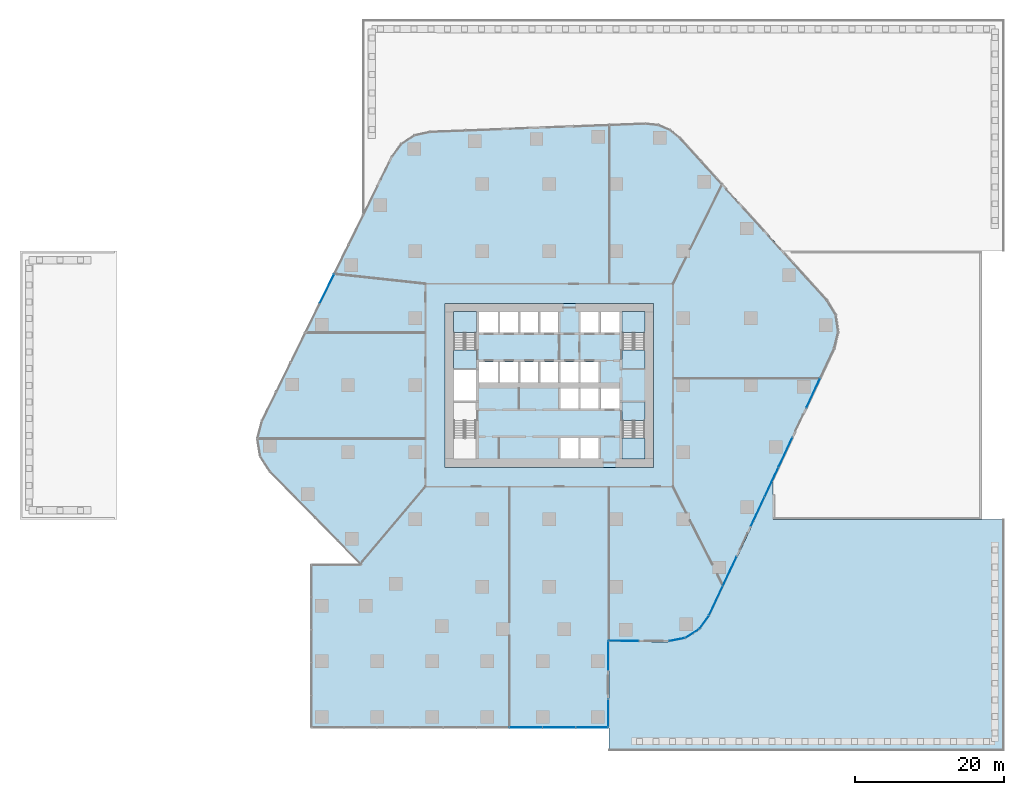
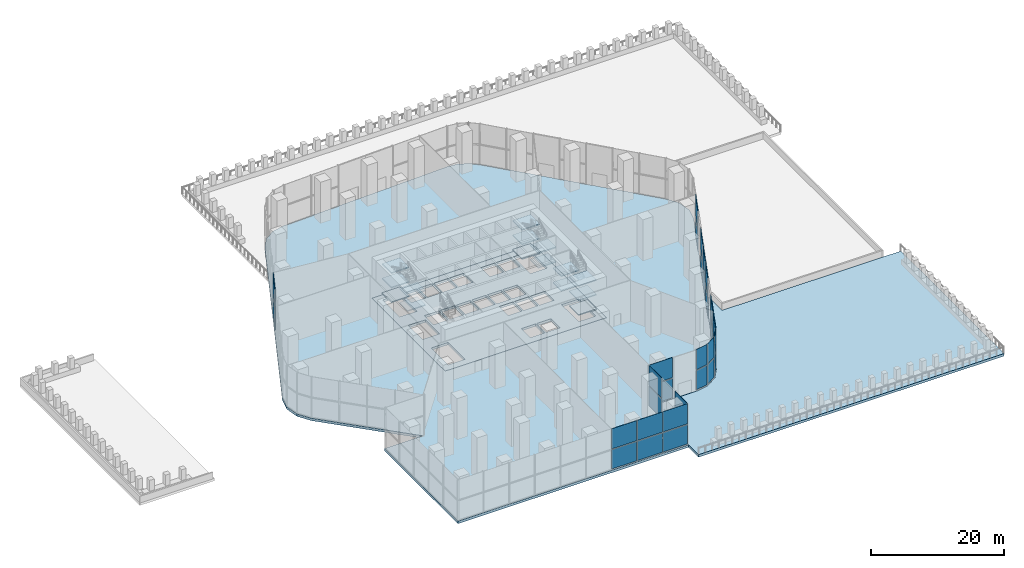
# One storey, part 11 of 22: 32 plates, 18 slabs, 12 elements without a shape of their own.
"""IFC4 building model written with IfcOpenShell, lengths in metres."""

from ifc_helpers import new_model, si_unit, direction, frame, origin, origin_2d, place, context, subcontext, project, spatial, polyline, rectangle, outline, extrude, material, layer, layer_set, type_object, element, aggregate, save


model = new_model("IFC4")

# Units and contexts
model_context = context("Model", 3, precision=1e-05, world=origin(), true_north=direction((0.0, 1.0)))
body_context = subcontext(model_context, "Body", "Model", "MODEL_VIEW")
ifc_project = project(units=[si_unit("LENGTHUNIT", "METRE"), si_unit("AREAUNIT", "SQUARE_METRE"), si_unit("VOLUMEUNIT", "CUBIC_METRE"), si_unit("PLANEANGLEUNIT", "RADIAN"), si_unit("MASSUNIT", "GRAM", prefix="KILO")], contexts=[model_context])

# Site, building, storey
site_placement = place(None, origin())
site = spatial("IfcSite", under=ifc_project, at=site_placement, CompositionType="ELEMENT")
building_placement = place(site_placement, origin())
building = spatial("IfcBuilding", under=site, at=building_placement, Name="Dongbaek Canopy Tower", CompositionType="ELEMENT")
storey_placement = place(building_placement, frame((0.0, 0.0, 19.0)))
storey = spatial("IfcBuildingStorey", under=building, at=storey_placement, Name="L02", CompositionType="ELEMENT", Elevation=19.0)

# Curtain wall, plates
ifc_material_1 = material(Name="Aluminium 6063-T6 pale anodised", Category="aluminium")
ifc_layer_1 = layer(ifc_material_1, 0.300048828125)
ifc_layer_set_1 = layer_set([ifc_layer_1], Name="CW-2 podium hall curtain wall")
curtain_wall_type = type_object("IfcCurtainWallType", Name="CW-2 podium hall curtain wall", PredefinedType="NOTDEFINED", material=ifc_layer_set_1)
curtain_wall_1_placement = place(storey_placement, origin())
curtain_wall_1 = element("IfcCurtainWall", 1, at=curtain_wall_1_placement, inside=storey, type_object=curtain_wall_type, Name="CW-2 curtain wall K0.1", PredefinedType="NOTDEFINED")
ifc_material_2 = material(Name="Clear laminated glass", Category="glass")
ifc_layer_2 = layer(ifc_material_2, 0.035888671875)
ifc_layer_set_2 = layer_set([ifc_layer_2], Name="CW-2 glazed panel 36")
plate_type = type_object("IfcPlateType", Name="CW-2 glazed panel 36", PredefinedType="CURTAIN_PANEL", material=ifc_layer_set_2)
plate_1_placement = place(storey_placement, frame((17.1337890625, -34.110595703125, 0.16015625), z_axis=(0.0, 0.0, 1.0), x_axis=(0.98292174659, 0.184024020391, 0.0)))
plate_1 = element("IfcPlate", 2, at=plate_1_placement, type_object=plate_type, Name="CW-2 panel K0.1.1.1", PredefinedType="CURTAIN_PANEL", context=body_context, shape_type="SweptSolid", body=[
    extrude(rectangle(XDim=2.128173828125, YDim=0.035888671875, at=origin_2d()), origin(), (0.0, 0.0, 1.0), 3.534912109375),
])
plate_2_placement = place(storey_placement, frame((17.1337890625, -34.110595703125, 3.85498046875), z_axis=(0.0, 0.0, 1.0), x_axis=(0.98292174659, 0.184024020391, 0.0)))
plate_2 = element("IfcPlate", 3, at=plate_2_placement, type_object=plate_type, Name="CW-2 panel K0.1.1.2", PredefinedType="CURTAIN_PANEL", context=body_context, shape_type="SweptSolid", body=[
    extrude(rectangle(XDim=2.128173828125, YDim=0.035888671875, at=origin_2d()), origin(), (0.0, 0.0, 1.0), 3.695068359375),
])
plate_3_placement = place(storey_placement, frame((19.169921875, -33.31103515625, 0.16015625), z_axis=(0.0, 0.0, 1.0), x_axis=(0.845033442045, 0.534713457681, 0.0)))
plate_3 = element("IfcPlate", 4, at=plate_3_placement, type_object=plate_type, Name="CW-2 panel K0.1.2.1", PredefinedType="CURTAIN_PANEL", context=body_context, shape_type="SweptSolid", body=[
    extrude(rectangle(XDim=2.11865234375, YDim=0.035888671875, at=origin_2d()), origin(), (0.0, 0.0, 1.0), 3.534912109375),
])
plate_4_placement = place(storey_placement, frame((19.169921875, -33.31103515625, 3.85498046875), z_axis=(0.0, 0.0, 1.0), x_axis=(0.845033442045, 0.534713457681, 0.0)))
plate_4 = element("IfcPlate", 5, at=plate_4_placement, type_object=plate_type, Name="CW-2 panel K0.1.2.2", PredefinedType="CURTAIN_PANEL", context=body_context, shape_type="SweptSolid", body=[
    extrude(rectangle(XDim=2.11865234375, YDim=0.035888671875, at=origin_2d()), origin(), (0.0, 0.0, 1.0), 3.695068359375),
])
plate_5_placement = place(storey_placement, frame((20.764404296875, -31.813232421875, 0.16015625), z_axis=(0.0, 0.0, 1.0), x_axis=(0.587153663418, 0.809475494092, 0.0)))
plate_5 = element("IfcPlate", 6, at=plate_5_placement, type_object=plate_type, Name="CW-2 panel K0.1.3.1", PredefinedType="CURTAIN_PANEL", context=body_context, shape_type="SweptSolid", body=[
    extrude(rectangle(XDim=2.128173828125, YDim=0.035888671875, at=origin_2d()), origin(), (0.0, 0.0, 1.0), 3.534912109375),
])
plate_6_placement = place(storey_placement, frame((20.764404296875, -31.813232421875, 3.85498046875), z_axis=(0.0, 0.0, 1.0), x_axis=(0.587153663418, 0.809475494092, 0.0)))
plate_6 = element("IfcPlate", 7, at=plate_6_placement, type_object=plate_type, Name="CW-2 panel K0.1.3.2", PredefinedType="CURTAIN_PANEL", context=body_context, shape_type="SweptSolid", body=[
    extrude(rectangle(XDim=2.128173828125, YDim=0.035888671875, at=origin_2d()), origin(), (0.0, 0.0, 1.0), 3.695068359375),
])
aggregate(curtain_wall_1, [plate_1, plate_2, plate_3, plate_4, plate_5, plate_6])

curtain_wall_2_placement = place(storey_placement, origin())
curtain_wall_2 = element("IfcCurtainWall", 8, at=curtain_wall_2_placement, inside=storey, type_object=curtain_wall_type, Name="CW-2 curtain wall F0.1", PredefinedType="NOTDEFINED")
plate_7_placement = place(storey_placement, frame((22.350341796875, -28.922607421875, 0.16015625), z_axis=(0.0, 0.0, 1.0), x_axis=(0.424122871275, 0.905604654395, 0.0)))
plate_7 = element("IfcPlate", 9, at=plate_7_placement, type_object=plate_type, Name="CW-2 panel F0.1.1.1", PredefinedType="CURTAIN_PANEL", context=body_context, shape_type="SweptSolid", body=[
    extrude(rectangle(XDim=4.28466796875, YDim=0.035888671875, at=origin_2d()), origin(), (0.0, 0.0, 1.0), 3.534912109375),
])
plate_8_placement = place(storey_placement, frame((22.350341796875, -28.922607421875, 3.85498046875), z_axis=(0.0, 0.0, 1.0), x_axis=(0.424122871275, 0.905604654395, 0.0)))
plate_8 = element("IfcPlate", 10, at=plate_8_placement, type_object=plate_type, Name="CW-2 panel F0.1.1.2", PredefinedType="CURTAIN_PANEL", context=body_context, shape_type="SweptSolid", body=[
    extrude(rectangle(XDim=4.28466796875, YDim=0.035888671875, at=origin_2d()), origin(), (0.0, 0.0, 1.0), 3.695068359375),
])
plate_9_placement = place(storey_placement, frame((24.213623046875, -24.944091796875, 0.16015625), z_axis=(0.0, 0.0, 1.0), x_axis=(0.424122871275, 0.905604654395, 0.0)))
plate_9 = element("IfcPlate", 11, at=plate_9_placement, type_object=plate_type, Name="CW-2 panel F0.1.2.1", PredefinedType="CURTAIN_PANEL", context=body_context, shape_type="SweptSolid", body=[
    extrude(rectangle(XDim=4.2939453125, YDim=0.035888671875, at=origin_2d()), origin(), (0.0, 0.0, 1.0), 3.534912109375),
])
plate_10_placement = place(storey_placement, frame((24.213623046875, -24.944091796875, 3.85498046875), z_axis=(0.0, 0.0, 1.0), x_axis=(0.424122871275, 0.905604654395, 0.0)))
plate_10 = element("IfcPlate", 12, at=plate_10_placement, type_object=plate_type, Name="CW-2 panel F0.1.2.2", PredefinedType="CURTAIN_PANEL", context=body_context, shape_type="SweptSolid", body=[
    extrude(rectangle(XDim=4.2939453125, YDim=0.035888671875, at=origin_2d()), origin(), (0.0, 0.0, 1.0), 3.695068359375),
])
aggregate(curtain_wall_2, [plate_7, plate_8, plate_9, plate_10])

curtain_wall_3_placement = place(storey_placement, origin())
curtain_wall_3 = element("IfcCurtainWall", 13, at=curtain_wall_3_placement, inside=storey, type_object=curtain_wall_type, Name="CW-2 curtain wall F0.2", PredefinedType="NOTDEFINED")
plate_11_placement = place(storey_placement, frame((27.9443359375, -16.978271484375, 0.16015625), z_axis=(0.0, 0.0, 1.0), x_axis=(0.424122871275, 0.905604654395, 0.0)))
plate_11 = element("IfcPlate", 14, at=plate_11_placement, type_object=plate_type, Name="CW-2 panel F0.2.1.1", PredefinedType="CURTAIN_PANEL", context=body_context, shape_type="SweptSolid", body=[
    extrude(rectangle(XDim=4.2939453125, YDim=0.035888671875, at=origin_2d()), origin(), (0.0, 0.0, 1.0), 3.534912109375),
])
plate_12_placement = place(storey_placement, frame((27.9443359375, -16.978271484375, 3.85498046875), z_axis=(0.0, 0.0, 1.0), x_axis=(0.424122871275, 0.905604654395, 0.0)))
plate_12 = element("IfcPlate", 15, at=plate_12_placement, type_object=plate_type, Name="CW-2 panel F0.2.1.2", PredefinedType="CURTAIN_PANEL", context=body_context, shape_type="SweptSolid", body=[
    extrude(rectangle(XDim=4.2939453125, YDim=0.035888671875, at=origin_2d()), origin(), (0.0, 0.0, 1.0), 3.695068359375),
])
plate_13_placement = place(storey_placement, frame((29.8095703125, -12.995361328125, 0.16015625), z_axis=(0.0, 0.0, 1.0), x_axis=(0.424122871275, 0.905604654395, 0.0)))
plate_13 = element("IfcPlate", 16, at=plate_13_placement, type_object=plate_type, Name="CW-2 panel F0.2.2.1", PredefinedType="CURTAIN_PANEL", context=body_context, shape_type="SweptSolid", body=[
    extrude(rectangle(XDim=4.2939453125, YDim=0.035888671875, at=origin_2d()), origin(), (0.0, 0.0, 1.0), 3.534912109375),
])
plate_14_placement = place(storey_placement, frame((29.8095703125, -12.995361328125, 3.85498046875), z_axis=(0.0, 0.0, 1.0), x_axis=(0.424122871275, 0.905604654395, 0.0)))
plate_14 = element("IfcPlate", 17, at=plate_14_placement, type_object=plate_type, Name="CW-2 panel F0.2.2.2", PredefinedType="CURTAIN_PANEL", context=body_context, shape_type="SweptSolid", body=[
    extrude(rectangle(XDim=4.2939453125, YDim=0.035888671875, at=origin_2d()), origin(), (0.0, 0.0, 1.0), 3.695068359375),
])
plate_15_placement = place(storey_placement, frame((31.6748046875, -9.012451171875, 0.16015625), z_axis=(0.0, 0.0, 1.0), x_axis=(0.424122871275, 0.905604654395, 0.0)))
plate_15 = element("IfcPlate", 18, at=plate_15_placement, type_object=plate_type, Name="CW-2 panel F0.2.3.1", PredefinedType="CURTAIN_PANEL", context=body_context, shape_type="SweptSolid", body=[
    extrude(rectangle(XDim=4.2939453125, YDim=0.035888671875, at=origin_2d()), origin(), (0.0, 0.0, 1.0), 3.534912109375),
])
plate_16_placement = place(storey_placement, frame((31.6748046875, -9.012451171875, 3.85498046875), z_axis=(0.0, 0.0, 1.0), x_axis=(0.424122871275, 0.905604654395, 0.0)))
plate_16 = element("IfcPlate", 19, at=plate_16_placement, type_object=plate_type, Name="CW-2 panel F0.2.3.2", PredefinedType="CURTAIN_PANEL", context=body_context, shape_type="SweptSolid", body=[
    extrude(rectangle(XDim=4.2939453125, YDim=0.035888671875, at=origin_2d()), origin(), (0.0, 0.0, 1.0), 3.695068359375),
])
aggregate(curtain_wall_3, [plate_11, plate_12, plate_13, plate_14, plate_15, plate_16])

curtain_wall_4_placement = place(storey_placement, origin())
curtain_wall_4 = element("IfcCurtainWall", 20, at=curtain_wall_4_placement, inside=storey, type_object=curtain_wall_type, Name="CW-2 curtain wall F0.3", PredefinedType="NOTDEFINED")
plate_17_placement = place(storey_placement, frame((35.405517578125, -1.046630859375, 0.16015625), z_axis=(0.0, 0.0, 1.0), x_axis=(0.424122871275, 0.905604654395, 0.0)))
plate_17 = element("IfcPlate", 21, at=plate_17_placement, type_object=plate_type, Name="CW-2 panel F0.3.1.1", PredefinedType="CURTAIN_PANEL", context=body_context, shape_type="SweptSolid", body=[
    extrude(rectangle(XDim=4.2939453125, YDim=0.035888671875, at=origin_2d()), origin(), (0.0, 0.0, 1.0), 3.534912109375),
])
plate_18_placement = place(storey_placement, frame((35.405517578125, -1.046630859375, 3.85498046875), z_axis=(0.0, 0.0, 1.0), x_axis=(0.424122871275, 0.905604654395, 0.0)))
plate_18 = element("IfcPlate", 22, at=plate_18_placement, type_object=plate_type, Name="CW-2 panel F0.3.1.2", PredefinedType="CURTAIN_PANEL", context=body_context, shape_type="SweptSolid", body=[
    extrude(rectangle(XDim=4.2939453125, YDim=0.035888671875, at=origin_2d()), origin(), (0.0, 0.0, 1.0), 3.695068359375),
])
aggregate(curtain_wall_4, [plate_17, plate_18])

curtain_wall_5_placement = place(storey_placement, origin())
curtain_wall_5 = element("IfcCurtainWall", 23, at=curtain_wall_5_placement, inside=storey, type_object=curtain_wall_type, Name="CW-2 curtain wall F3.1", PredefinedType="NOTDEFINED")
plate_19_placement = place(storey_placement, frame((-29.826904296875, 12.92822265625, 0.16015625), z_axis=(0.0, 0.0, 1.0), x_axis=(-0.441341613378, -0.897339166815, 0.0)))
plate_19 = element("IfcPlate", 24, at=plate_19_placement, type_object=plate_type, Name="CW-2 panel F3.1.4.1", PredefinedType="CURTAIN_PANEL", context=body_context, shape_type="SweptSolid", body=[
    extrude(rectangle(XDim=4.29541015625, YDim=0.035888671875, at=origin_2d()), origin(), (0.0, 0.0, 1.0), 3.534912109375),
])
plate_20_placement = place(storey_placement, frame((-29.826904296875, 12.92822265625, 3.85498046875), z_axis=(0.0, 0.0, 1.0), x_axis=(-0.441341613378, -0.897339166815, 0.0)))
plate_20 = element("IfcPlate", 25, at=plate_20_placement, type_object=plate_type, Name="CW-2 panel F3.1.4.2", PredefinedType="CURTAIN_PANEL", context=body_context, shape_type="SweptSolid", body=[
    extrude(rectangle(XDim=4.29541015625, YDim=0.035888671875, at=origin_2d()), origin(), (0.0, 0.0, 1.0), 3.695068359375),
])
aggregate(curtain_wall_5, [plate_19, plate_20])

curtain_wall_6_placement = place(storey_placement, origin())
curtain_wall_6 = element("IfcCurtainWall", 26, at=curtain_wall_6_placement, inside=storey, type_object=curtain_wall_type, Name="CW-2 curtain wall F7.1", PredefinedType="NOTDEFINED")
plate_21_placement = place(storey_placement, frame((-3.111083984375, -45.89990234375, 0.16015625), z_axis=(0.0, 0.0, 1.0), x_axis=(1.0, 0.0, 0.0)))
plate_21 = element("IfcPlate", 27, at=plate_21_placement, type_object=plate_type, Name="CW-2 panel F7.1.7.1", PredefinedType="CURTAIN_PANEL", context=body_context, shape_type="SweptSolid", body=[
    extrude(rectangle(XDim=4.34033203125, YDim=0.035888671875, at=origin_2d()), origin(), (0.0, 0.0, 1.0), 3.534912109375),
])
plate_22_placement = place(storey_placement, frame((-3.111083984375, -45.89990234375, 3.85498046875), z_axis=(0.0, 0.0, 1.0), x_axis=(1.0, 0.0, 0.0)))
plate_22 = element("IfcPlate", 28, at=plate_22_placement, type_object=plate_type, Name="CW-2 panel F7.1.7.2", PredefinedType="CURTAIN_PANEL", context=body_context, shape_type="SweptSolid", body=[
    extrude(rectangle(XDim=4.34033203125, YDim=0.035888671875, at=origin_2d()), origin(), (0.0, 0.0, 1.0), 3.695068359375),
])
plate_23_placement = place(storey_placement, frame((1.333251953125, -45.89990234375, 0.16015625), z_axis=(0.0, 0.0, 1.0), x_axis=(1.0, 0.0, 0.0)))
plate_23 = element("IfcPlate", 29, at=plate_23_placement, type_object=plate_type, Name="CW-2 panel F7.1.8.1", PredefinedType="CURTAIN_PANEL", context=body_context, shape_type="SweptSolid", body=[
    extrude(rectangle(XDim=4.34033203125, YDim=0.035888671875, at=origin_2d()), origin(), (0.0, 0.0, 1.0), 3.534912109375),
])
plate_24_placement = place(storey_placement, frame((1.333251953125, -45.89990234375, 3.85498046875), z_axis=(0.0, 0.0, 1.0), x_axis=(1.0, 0.0, 0.0)))
plate_24 = element("IfcPlate", 30, at=plate_24_placement, type_object=plate_type, Name="CW-2 panel F7.1.8.2", PredefinedType="CURTAIN_PANEL", context=body_context, shape_type="SweptSolid", body=[
    extrude(rectangle(XDim=4.34033203125, YDim=0.035888671875, at=origin_2d()), origin(), (0.0, 0.0, 1.0), 3.695068359375),
])
plate_25_placement = place(storey_placement, frame((5.727783203125, -45.89990234375, 0.16015625), z_axis=(0.0, 0.0, 1.0), x_axis=(1.0, 0.0, 0.0)))
plate_25 = element("IfcPlate", 31, at=plate_25_placement, type_object=plate_type, Name="CW-2 panel F7.1.9.1", PredefinedType="CURTAIN_PANEL", context=body_context, shape_type="SweptSolid", body=[
    extrude(rectangle(XDim=4.240478515625, YDim=0.035888671875, at=origin_2d()), origin(), (0.0, 0.0, 1.0), 3.534912109375),
])
plate_26_placement = place(storey_placement, frame((5.727783203125, -45.89990234375, 3.85498046875), z_axis=(0.0, 0.0, 1.0), x_axis=(1.0, 0.0, 0.0)))
plate_26 = element("IfcPlate", 32, at=plate_26_placement, type_object=plate_type, Name="CW-2 panel F7.1.9.2", PredefinedType="CURTAIN_PANEL", context=body_context, shape_type="SweptSolid", body=[
    extrude(rectangle(XDim=4.240478515625, YDim=0.035888671875, at=origin_2d()), origin(), (0.0, 0.0, 1.0), 3.695068359375),
])
aggregate(curtain_wall_6, [plate_21, plate_22, plate_23, plate_24, plate_25, plate_26])

curtain_wall_7_placement = place(storey_placement, origin())
curtain_wall_7 = element("IfcCurtainWall", 33, at=curtain_wall_7_placement, inside=storey, type_object=curtain_wall_type, Name="CW-2 curtain wall F8.1", PredefinedType="NOTDEFINED")
plate_27_placement = place(storey_placement, frame((7.89990234375, -44.013427734375, 0.16015625), z_axis=(0.0, 0.0, 1.0), x_axis=(0.0, 1.0, 0.0)))
plate_27 = element("IfcPlate", 34, at=plate_27_placement, type_object=plate_type, Name="CW-2 panel F8.1.1.1", PredefinedType="CURTAIN_PANEL", context=body_context, shape_type="SweptSolid", body=[
    extrude(rectangle(XDim=3.669189453125, YDim=0.035888671875, at=origin_2d()), origin(), (0.0, 0.0, 1.0), 3.534912109375),
])
plate_28_placement = place(storey_placement, frame((7.89990234375, -44.013427734375, 3.85498046875), z_axis=(0.0, 0.0, 1.0), x_axis=(0.0, 1.0, 0.0)))
plate_28 = element("IfcPlate", 35, at=plate_28_placement, type_object=plate_type, Name="CW-2 panel F8.1.1.2", PredefinedType="CURTAIN_PANEL", context=body_context, shape_type="SweptSolid", body=[
    extrude(rectangle(XDim=3.669189453125, YDim=0.035888671875, at=origin_2d()), origin(), (0.0, 0.0, 1.0), 3.695068359375),
])
aggregate(curtain_wall_7, [plate_27, plate_28])

curtain_wall_8_placement = place(storey_placement, origin())
curtain_wall_8 = element("IfcCurtainWall", 36, at=curtain_wall_8_placement, inside=storey, type_object=curtain_wall_type, Name="CW-2 curtain wall F8.2", PredefinedType="NOTDEFINED")
plate_29_placement = place(storey_placement, frame((7.89990234375, -36.2666015625, 0.16015625), z_axis=(0.0, 0.0, 1.0), x_axis=(0.0, 1.0, 0.0)))
plate_29 = element("IfcPlate", 37, at=plate_29_placement, type_object=plate_type, Name="CW-2 panel F8.2.1.1", PredefinedType="CURTAIN_PANEL", context=body_context, shape_type="SweptSolid", body=[
    extrude(rectangle(XDim=3.86962890625, YDim=0.035888671875, at=origin_2d()), origin(), (0.0, 0.0, 1.0), 3.534912109375),
])
plate_30_placement = place(storey_placement, frame((7.89990234375, -36.2666015625, 3.85498046875), z_axis=(0.0, 0.0, 1.0), x_axis=(0.0, 1.0, 0.0)))
plate_30 = element("IfcPlate", 38, at=plate_30_placement, type_object=plate_type, Name="CW-2 panel F8.2.1.2", PredefinedType="CURTAIN_PANEL", context=body_context, shape_type="SweptSolid", body=[
    extrude(rectangle(XDim=3.86962890625, YDim=0.035888671875, at=origin_2d()), origin(), (0.0, 0.0, 1.0), 3.695068359375),
])
aggregate(curtain_wall_8, [plate_29, plate_30])

curtain_wall_9_placement = place(storey_placement, origin())
curtain_wall_9 = element("IfcCurtainWall", 39, at=curtain_wall_9_placement, inside=storey, type_object=curtain_wall_type, Name="CW-2 curtain wall F9.1", PredefinedType="NOTDEFINED")
plate_31_placement = place(storey_placement, frame((9.961669921875, -34.288818359375, 0.16015625), z_axis=(0.0, 0.0, 1.0), x_axis=(0.999990026698, -0.004466151006, 0.0)))
plate_31 = element("IfcPlate", 40, at=plate_31_placement, type_object=plate_type, Name="CW-2 panel F9.1.1.1", PredefinedType="CURTAIN_PANEL", context=body_context, shape_type="SweptSolid", body=[
    extrude(rectangle(XDim=4.019287109375, YDim=0.035888671875, at=origin_2d()), origin(), (0.0, 0.0, 1.0), 3.534912109375),
])
plate_32_placement = place(storey_placement, frame((9.961669921875, -34.288818359375, 3.85498046875), z_axis=(0.0, 0.0, 1.0), x_axis=(0.999990026698, -0.004466151006, 0.0)))
plate_32 = element("IfcPlate", 41, at=plate_32_placement, type_object=plate_type, Name="CW-2 panel F9.1.1.2", PredefinedType="CURTAIN_PANEL", context=body_context, shape_type="SweptSolid", body=[
    extrude(rectangle(XDim=4.019287109375, YDim=0.035888671875, at=origin_2d()), origin(), (0.0, 0.0, 1.0), 3.695068359375),
])
aggregate(curtain_wall_9, [plate_31, plate_32])

# Slab
ifc_material_3 = material(Name="Concrete C40/50", Category="concrete")
ifc_layer_3 = layer(ifc_material_3, 0.449951171875)
ifc_layer_set_3 = layer_set([ifc_layer_3], Name="Core floor slab 450 Concrete C40/50")
slab_type_1 = type_object("IfcSlabType", Name="Core floor slab 450 Concrete C40/50", PredefinedType="FLOOR", material=ifc_layer_set_3)
slab_1_placement = place(storey_placement, frame((0.0, 0.0, -0.449951171875)))
element("IfcSlab", 42, at=slab_1_placement, inside=storey, type_object=slab_type_1, Name="Core floor slab L02", PredefinedType="FLOOR", context=body_context, shape_type="SweptSolid", body=[
    extrude(outline(polyline([(14.0, -11.0), (14.0, 11.0), (-14.0, 11.0), (-14.0, -11.0), (14.0, -11.0)]), holes=[polyline([(-12.800048828125, 2.10009765625), (-9.85009765625, 2.10009765625), (-9.85009765625, -2.10009765625), (-12.800048828125, -2.10009765625), (-12.800048828125, 2.10009765625)]), polyline([(-6.875, 9.800048828125), (-6.875, 7.074951171875), (-9.449951171875, 7.074951171875), (-9.449951171875, 9.800048828125), (-6.875, 9.800048828125)]), polyline([(-4.175048828125, 9.800048828125), (-4.175048828125, 7.074951171875), (-6.625, 7.074951171875), (-6.625, 9.800048828125), (-4.175048828125, 9.800048828125)]), polyline([(-1.47509765625, 9.800048828125), (-1.47509765625, 7.074951171875), (-3.925048828125, 7.074951171875), (-3.925048828125, 9.800048828125), (-1.47509765625, 9.800048828125)]), polyline([(1.22509765625, 9.800048828125), (1.22509765625, 7.074951171875), (-1.22509765625, 7.074951171875), (-1.22509765625, 9.800048828125), (1.22509765625, 9.800048828125)]), polyline([(6.625, 9.800048828125), (6.625, 7.074951171875), (4.175048828125, 7.074951171875), (4.175048828125, 9.800048828125), (6.625, 9.800048828125)]), polyline([(9.449951171875, 7.074951171875), (6.875, 7.074951171875), (6.875, 9.800048828125), (9.449951171875, 9.800048828125), (9.449951171875, 7.074951171875)]), polyline([(-9.449951171875, 3.125), (-6.875, 3.125), (-6.875, 0.39990234375), (-9.449951171875, 0.39990234375), (-9.449951171875, 3.125)]), polyline([(-6.625, 3.125), (-4.175048828125, 3.125), (-4.175048828125, 0.39990234375), (-6.625, 0.39990234375), (-6.625, 3.125)]), polyline([(-3.925048828125, 3.125), (-1.47509765625, 3.125), (-1.47509765625, 0.39990234375), (-3.925048828125, 0.39990234375), (-3.925048828125, 3.125)]), polyline([(-1.22509765625, 3.125), (1.22509765625, 3.125), (1.22509765625, 0.39990234375), (-1.22509765625, 0.39990234375), (-1.22509765625, 3.125)]), polyline([(1.47509765625, 0.39990234375), (1.47509765625, 3.125), (3.925048828125, 3.125), (3.925048828125, 0.39990234375), (1.47509765625, 0.39990234375)]), polyline([(4.175048828125, 0.39990234375), (4.175048828125, 3.125), (6.625, 3.125), (6.625, 0.39990234375), (4.175048828125, 0.39990234375)]), polyline([(3.925048828125, -0.39990234375), (3.925048828125, -3.125), (1.47509765625, -3.125), (1.47509765625, -0.39990234375), (3.925048828125, -0.39990234375)]), polyline([(6.625, -0.39990234375), (6.625, -3.125), (4.175048828125, -3.125), (4.175048828125, -0.39990234375), (6.625, -0.39990234375)]), polyline([(9.449951171875, -3.125), (6.875, -3.125), (6.875, -0.39990234375), (9.449951171875, -0.39990234375), (9.449951171875, -3.125)]), polyline([(1.47509765625, -9.800048828125), (1.47509765625, -7.074951171875), (3.925048828125, -7.074951171875), (3.925048828125, -9.800048828125), (1.47509765625, -9.800048828125)]), polyline([(4.175048828125, -9.800048828125), (4.175048828125, -7.074951171875), (6.625, -7.074951171875), (6.625, -9.800048828125), (4.175048828125, -9.800048828125)]), polyline([(12.800048828125, 4.70068359375), (12.800048828125, 9.800048828125), (9.85009765625, 9.800048828125), (9.85009765625, 4.70068359375), (12.800048828125, 4.70068359375)]), polyline([(-9.85009765625, 4.70068359375), (-9.85009765625, 9.800048828125), (-12.800048828125, 9.800048828125), (-12.800048828125, 4.70068359375), (-9.85009765625, 4.70068359375)]), polyline([(9.85009765625, -4.70068359375), (9.85009765625, -9.800048828125), (12.800048828125, -9.800048828125), (12.800048828125, -4.70068359375), (9.85009765625, -4.70068359375)]), polyline([(-12.800048828125, -4.70068359375), (-12.800048828125, -9.800048828125), (-9.85009765625, -9.800048828125), (-9.85009765625, -4.70068359375), (-12.800048828125, -4.70068359375)])]), origin(), (0.0, 0.0, 1.0), 0.449951171875),
])

# Stair, slabs
ifc_material_4 = material(Name="Concrete C40/50", Category="concrete")
stair_type = type_object("IfcStairType", Name="Core exit stair", PredefinedType="HALF_TURN_STAIR", material=ifc_material_4)
stair_1_placement = place(storey_placement, origin())
stair_1 = element("IfcStair", 43, at=stair_1_placement, inside=storey, type_object=stair_type, Name="L02 exit stair A", PredefinedType="HALF_TURN_STAIR")
ifc_material_5 = material(Name="Concrete C40/50", Category="concrete")
ifc_layer_4 = layer(ifc_material_5, 0.199951171875)
ifc_layer_set_4 = layer_set([ifc_layer_4], Name="Core stair landing 200")
slab_type_2 = type_object("IfcSlabType", Name="Core stair landing 200", PredefinedType="LANDING", material=ifc_layer_set_4)
slab_2_placement = place(storey_placement, frame((0.0, 0.0, 1.13330078125)))
slab_2 = element("IfcSlab", 44, at=slab_2_placement, type_object=slab_type_2, Name="ST-A landing 1", PredefinedType="LANDING", context=body_context, shape_type="SweptSolid", body=[
    extrude(outline(polyline([(12.875, 7.080078125), (12.875, 9.875), (9.77490234375, 9.875), (9.77490234375, 7.080078125), (12.875, 7.080078125)])), origin(), (0.0, 0.0, 1.0), 0.199951171875),
])
slab_3_placement = place(storey_placement, frame((0.0, 0.0, 2.466552734375)))
slab_3 = element("IfcSlab", 45, at=slab_3_placement, type_object=slab_type_2, Name="ST-A landing 2", PredefinedType="LANDING", context=body_context, shape_type="SweptSolid", body=[
    extrude(outline(polyline([(12.875, 2.22509765625), (12.875, 4.699951171875), (9.77490234375, 4.699951171875), (9.77490234375, 2.22509765625), (12.875, 2.22509765625)])), origin(), (0.0, 0.0, 1.0), 0.2001953125),
])
slab_4_placement = place(storey_placement, frame((0.0, 0.0, 3.800048828125)))
slab_4 = element("IfcSlab", 46, at=slab_4_placement, type_object=slab_type_2, Name="ST-A landing 3", PredefinedType="LANDING", context=body_context, shape_type="SweptSolid", body=[
    extrude(outline(polyline([(12.875, 7.080078125), (12.875, 9.875), (9.77490234375, 9.875), (9.77490234375, 7.080078125), (12.875, 7.080078125)])), origin(), (0.0, 0.0, 1.0), 0.199951171875),
])
slab_5_placement = place(storey_placement, frame((0.0, 0.0, 5.13330078125)))
slab_5 = element("IfcSlab", 47, at=slab_5_placement, type_object=slab_type_2, Name="ST-A landing 4", PredefinedType="LANDING", context=body_context, shape_type="SweptSolid", body=[
    extrude(outline(polyline([(12.875, 2.22509765625), (12.875, 4.699951171875), (9.77490234375, 4.699951171875), (9.77490234375, 2.22509765625), (12.875, 2.22509765625)])), origin(), (0.0, 0.0, 1.0), 0.199951171875),
])
slab_6_placement = place(storey_placement, frame((0.0, 0.0, 6.466552734375)))
slab_6 = element("IfcSlab", 48, at=slab_6_placement, type_object=slab_type_2, Name="ST-A landing 5", PredefinedType="LANDING", context=body_context, shape_type="SweptSolid", body=[
    extrude(outline(polyline([(12.875, 7.080078125), (12.875, 9.875), (9.77490234375, 9.875), (9.77490234375, 7.080078125), (12.875, 7.080078125)])), origin(), (0.0, 0.0, 1.0), 0.2001953125),
])
aggregate(stair_1, [slab_2, slab_3, slab_4, slab_5, slab_6])

stair_2_placement = place(storey_placement, origin())
stair_2 = element("IfcStair", 49, at=stair_2_placement, inside=storey, type_object=stair_type, Name="L02 exit stair C", PredefinedType="HALF_TURN_STAIR")
slab_7_placement = place(storey_placement, frame((0.0, 0.0, 1.13330078125)))
slab_7 = element("IfcSlab", 50, at=slab_7_placement, type_object=slab_type_2, Name="ST-C landing 1", PredefinedType="LANDING", context=body_context, shape_type="SweptSolid", body=[
    extrude(outline(polyline([(-9.77490234375, 7.080078125), (-9.77490234375, 9.875), (-12.875, 9.875), (-12.875, 7.080078125), (-9.77490234375, 7.080078125)])), origin(), (0.0, 0.0, 1.0), 0.199951171875),
])
slab_8_placement = place(storey_placement, frame((0.0, 0.0, 2.466552734375)))
slab_8 = element("IfcSlab", 51, at=slab_8_placement, type_object=slab_type_2, Name="ST-C landing 2", PredefinedType="LANDING", context=body_context, shape_type="SweptSolid", body=[
    extrude(outline(polyline([(-9.77490234375, 2.22509765625), (-9.77490234375, 4.699951171875), (-12.875, 4.699951171875), (-12.875, 2.22509765625), (-9.77490234375, 2.22509765625)])), origin(), (0.0, 0.0, 1.0), 0.2001953125),
])
slab_9_placement = place(storey_placement, frame((0.0, 0.0, 3.800048828125)))
slab_9 = element("IfcSlab", 52, at=slab_9_placement, type_object=slab_type_2, Name="ST-C landing 3", PredefinedType="LANDING", context=body_context, shape_type="SweptSolid", body=[
    extrude(outline(polyline([(-9.77490234375, 7.080078125), (-9.77490234375, 9.875), (-12.875, 9.875), (-12.875, 7.080078125), (-9.77490234375, 7.080078125)])), origin(), (0.0, 0.0, 1.0), 0.199951171875),
])
slab_10_placement = place(storey_placement, frame((0.0, 0.0, 5.13330078125)))
slab_10 = element("IfcSlab", 53, at=slab_10_placement, type_object=slab_type_2, Name="ST-C landing 4", PredefinedType="LANDING", context=body_context, shape_type="SweptSolid", body=[
    extrude(outline(polyline([(-9.77490234375, 2.22509765625), (-9.77490234375, 4.699951171875), (-12.875, 4.699951171875), (-12.875, 2.22509765625), (-9.77490234375, 2.22509765625)])), origin(), (0.0, 0.0, 1.0), 0.199951171875),
])
slab_11_placement = place(storey_placement, frame((0.0, 0.0, 6.466552734375)))
slab_11 = element("IfcSlab", 54, at=slab_11_placement, type_object=slab_type_2, Name="ST-C landing 5", PredefinedType="LANDING", context=body_context, shape_type="SweptSolid", body=[
    extrude(outline(polyline([(-9.77490234375, 7.080078125), (-9.77490234375, 9.875), (-12.875, 9.875), (-12.875, 7.080078125), (-9.77490234375, 7.080078125)])), origin(), (0.0, 0.0, 1.0), 0.2001953125),
])
aggregate(stair_2, [slab_7, slab_8, slab_9, slab_10, slab_11])

stair_3_placement = place(storey_placement, origin())
stair_3 = element("IfcStair", 55, at=stair_3_placement, inside=storey, type_object=stair_type, Name="L02 exit stair B", PredefinedType="HALF_TURN_STAIR")
slab_12_placement = place(storey_placement, frame((0.0, 0.0, 1.13330078125)))
slab_12 = element("IfcSlab", 56, at=slab_12_placement, type_object=slab_type_2, Name="ST-B landing 1", PredefinedType="LANDING", context=body_context, shape_type="SweptSolid", body=[
    extrude(outline(polyline([(9.77490234375, -7.080078125), (9.77490234375, -9.875), (12.875, -9.875), (12.875, -7.080078125), (9.77490234375, -7.080078125)])), origin(), (0.0, 0.0, 1.0), 0.199951171875),
])
slab_13_placement = place(storey_placement, frame((0.0, 0.0, 2.466552734375)))
slab_13 = element("IfcSlab", 57, at=slab_13_placement, type_object=slab_type_2, Name="ST-B landing 2", PredefinedType="LANDING", context=body_context, shape_type="SweptSolid", body=[
    extrude(outline(polyline([(9.77490234375, -2.22509765625), (9.77490234375, -4.699951171875), (12.875, -4.699951171875), (12.875, -2.22509765625), (9.77490234375, -2.22509765625)])), origin(), (0.0, 0.0, 1.0), 0.2001953125),
])
slab_14_placement = place(storey_placement, frame((0.0, 0.0, 3.800048828125)))
slab_14 = element("IfcSlab", 58, at=slab_14_placement, type_object=slab_type_2, Name="ST-B landing 3", PredefinedType="LANDING", context=body_context, shape_type="SweptSolid", body=[
    extrude(outline(polyline([(9.77490234375, -7.080078125), (9.77490234375, -9.875), (12.875, -9.875), (12.875, -7.080078125), (9.77490234375, -7.080078125)])), origin(), (0.0, 0.0, 1.0), 0.199951171875),
])
slab_15_placement = place(storey_placement, frame((0.0, 0.0, 5.13330078125)))
slab_15 = element("IfcSlab", 59, at=slab_15_placement, type_object=slab_type_2, Name="ST-B landing 4", PredefinedType="LANDING", context=body_context, shape_type="SweptSolid", body=[
    extrude(outline(polyline([(9.77490234375, -2.22509765625), (9.77490234375, -4.699951171875), (12.875, -4.699951171875), (12.875, -2.22509765625), (9.77490234375, -2.22509765625)])), origin(), (0.0, 0.0, 1.0), 0.199951171875),
])
slab_16_placement = place(storey_placement, frame((0.0, 0.0, 6.466552734375)))
slab_16 = element("IfcSlab", 60, at=slab_16_placement, type_object=slab_type_2, Name="ST-B landing 5", PredefinedType="LANDING", context=body_context, shape_type="SweptSolid", body=[
    extrude(outline(polyline([(9.77490234375, -7.080078125), (9.77490234375, -9.875), (12.875, -9.875), (12.875, -7.080078125), (9.77490234375, -7.080078125)])), origin(), (0.0, 0.0, 1.0), 0.2001953125),
])
aggregate(stair_3, [slab_12, slab_13, slab_14, slab_15, slab_16])

# Slabs
ifc_material_6 = material(Name="Concrete C40", Category="concrete")
ifc_layer_5 = layer(ifc_material_6, 0.449951171875)
ifc_layer_set_5 = layer_set([ifc_layer_5], Name="RC FLAT PLATE 450 Concrete C40")
slab_type_3 = type_object("IfcSlabType", Name="RC FLAT PLATE 450 Concrete C40", PredefinedType="FLOOR", material=ifc_layer_set_5)
slab_17_placement = place(storey_placement, frame((0.0, 0.0, -0.449951171875)))
element("IfcSlab", 61, at=slab_17_placement, inside=storey, type_object=slab_type_3, Name="SLAB:L02", PredefinedType="FLOOR", context=body_context, shape_type="SweptSolid", body=[
    extrude(outline(polyline([(8.0, -46.0), (-32.0, -46.0), (-32.0, -24.0), (-25.382080078125, -24.0), (-37.544921875, -11.651123046875), (-38.872314453125, -9.589111328125), (-39.263916015625, -7.168212890625), (-38.654052734375, -4.792724609375), (-21.17919921875, 30.7373046875), (-19.90771484375, 32.4580078125), (-18.113525390625, 33.623291015625), (-16.0244140625, 34.0849609375), (12.918701171875, 35.1923828125), (14.64892578125, 35.006103515625), (16.252685546875, 34.3310546875), (17.595458984375, 33.224365234375), (37.307861328125, 11.45751953125), (38.5078125, 9.45703125), (38.85400390625, 7.14990234375), (38.2939453125, 4.88525390625), (21.506103515625, -30.960693359375), (20.1787109375, -32.791015625), (18.26806640625, -34.0), (16.0458984375, -34.416015625), (8.0, -34.380126953125), (8.0, -46.0)]), holes=[polyline([(14.0, 11.0), (-14.0, 11.0), (-14.0, -11.0), (14.0, -11.0), (14.0, 11.0)])]), origin(), (0.0, 0.0, 1.0), 0.449951171875),
])
ifc_material_7 = material(Name="Concrete C40", Category="concrete")
ifc_layer_6 = layer(ifc_material_7, 0.449951171875)
ifc_layer_set_6 = layer_set([ifc_layer_6], Name="RC PODIUM DECK SLAB 450 Concrete C40")
slab_type_4 = type_object("IfcSlabType", Name="RC PODIUM DECK SLAB 450 Concrete C40", PredefinedType="ROOF", material=ifc_layer_set_6)
slab_18_placement = place(storey_placement, frame((0.0, 0.0, -0.449951171875)))
element("IfcSlab", 62, at=slab_18_placement, inside=storey, type_object=slab_type_4, Name="Podium roof deck S", PredefinedType="ROOF", context=body_context, shape_type="SweptSolid", body=[
    extrude(outline(polyline([(18.26806640625, -34.0), (20.1787109375, -32.791015625), (21.506103515625, -30.960693359375), (29.90478515625, -13.028076171875), (29.932373046875, -13.00244140625), (29.978515625, -13.008056640625), (30.0, -13.04931640625), (30.0, -18.0), (60.949951171875, -18.0), (60.99609375, -18.031005859375), (61.0, -48.949951171875), (60.968994140625, -48.99609375), (8.022216796875, -48.99169921875), (8.0, -48.949951171875), (8.008544921875, -34.402587890625), (8.05029296875, -34.38037109375), (16.044677734375, -34.416015625), (18.26806640625, -34.0)])), origin(), (0.0, 0.0, 1.0), 0.449951171875),
])

save(model, "model.ifc")
